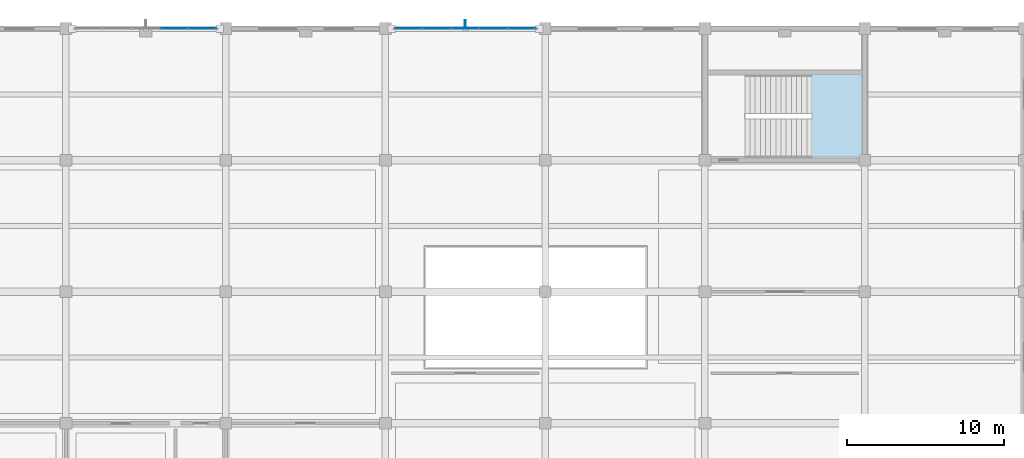
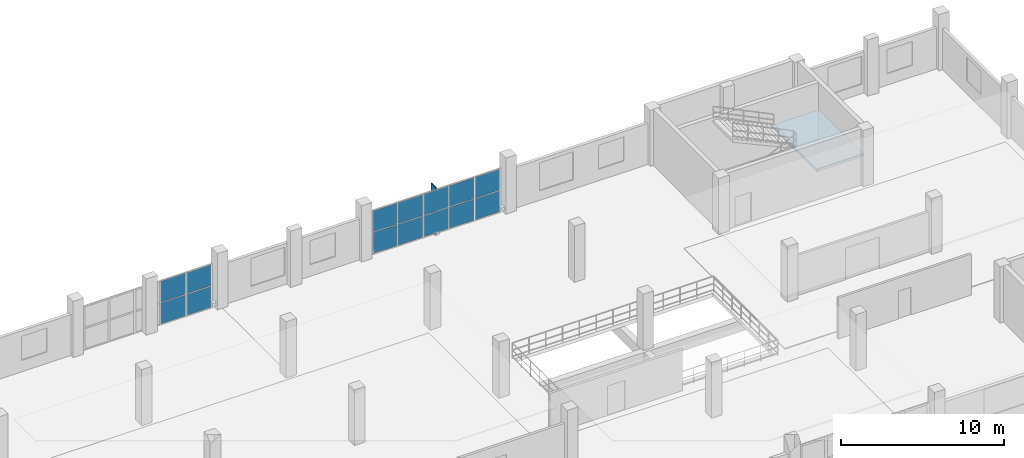
# One storey, part 120 of 157: 15 plates, 1 slab, 3 elements without a shape of their own.
"""IFC4 building model written with IfcOpenShell, lengths in metres."""

from ifc_helpers import new_model, si_unit, direction, frame, origin, origin_2d, place, context, subcontext, project, spatial, polyline, rectangle, outline, extrude, material, layer, layer_set, type_object, element, aggregate, save


model = new_model("IFC4")

# Units and contexts
model_context = context("Model", 3, precision=1e-05, world=origin(), true_north=direction((0.0, 1.0)))
body_context = subcontext(model_context, "Body", "Model", "MODEL_VIEW")
ifc_project = project(units=[si_unit("LENGTHUNIT", "METRE"), si_unit("AREAUNIT", "SQUARE_METRE"), si_unit("VOLUMEUNIT", "CUBIC_METRE"), si_unit("PLANEANGLEUNIT", "RADIAN"), si_unit("MASSUNIT", "GRAM", prefix="KILO")], contexts=[model_context])

# Site, building, storey
site_placement = place(None, origin())
site = spatial("IfcSite", under=ifc_project, at=site_placement, CompositionType="ELEMENT")
building_placement = place(site_placement, origin())
building = spatial("IfcBuilding", under=site, at=building_placement, Name="Brelvane Convention Centre", CompositionType="ELEMENT")
storey_placement = place(building_placement, frame((0.0, 0.0, 10.800048828125)))
storey = spatial("IfcBuildingStorey", under=building, at=storey_placement, Name="L02", CompositionType="ELEMENT", Elevation=10.800048828125)

# Curtain wall, plates
ifc_material_1 = material(Name="Anodised Aluminium Alloy 6063-T6", Category="aluminium")
curtain_wall_type = type_object("IfcCurtainWallType", Name="Curtain Wall CW-BOUL", PredefinedType="USERDEFINED", material=ifc_material_1)
curtain_wall_1_placement = place(storey_placement, origin())
curtain_wall_1 = element("IfcCurtainWall", 1, at=curtain_wall_1_placement, inside=storey, type_object=curtain_wall_type, Name="Curtain Wall CW-BOUL L02-V4N-06", ObjectType="UNITISED", PredefinedType="USERDEFINED")
ifc_material_2 = material(Name="Double Glazed Low-E Laminated Unit")
ifc_layer_1 = layer(ifc_material_2, 0.0380859375)
ifc_layer_set_1 = layer_set([ifc_layer_1], Name="Double Glazed Low-E Laminated Unit")
plate_type_1 = type_object("IfcPlateType", Name="Curtain Panel CW-PG2", PredefinedType="CURTAIN_PANEL", material=ifc_layer_set_1)
plate_1_placement = place(storey_placement, frame((57.919921875, 144.0, 0.059814453125), z_axis=(0.0, 0.0, 1.0), x_axis=(1.0, 0.0, 0.0)))
plate_1 = element("IfcPlate", 2, at=plate_1_placement, type_object=plate_type_1, Name="CW-BOUL panel 4.1", PredefinedType="CURTAIN_PANEL", context=body_context, shape_type="SweptSolid", body=[
    extrude(rectangle(XDim=1.7548828125, YDim=0.0380859375, at=origin_2d()), origin(), (0.0, 0.0, 1.0), 1.56005859375),
])
plate_2_placement = place(storey_placement, frame((57.919921875, 144.0, 1.679931640625), z_axis=(0.0, 0.0, 1.0), x_axis=(1.0, 0.0, 0.0)))
plate_2 = element("IfcPlate", 3, at=plate_2_placement, type_object=plate_type_1, Name="CW-BOUL panel 4.2", PredefinedType="CURTAIN_PANEL", context=body_context, shape_type="SweptSolid", body=[
    extrude(rectangle(XDim=1.7548828125, YDim=0.0380859375, at=origin_2d()), origin(), (0.0, 0.0, 1.0), 1.56005859375),
])
plate_3_placement = place(storey_placement, frame((59.7236328125, 144.0, 0.059814453125), z_axis=(0.0, 0.0, 1.0), x_axis=(1.0, 0.0, 0.0)))
plate_3 = element("IfcPlate", 4, at=plate_3_placement, type_object=plate_type_1, Name="CW-BOUL panel 5.1", PredefinedType="CURTAIN_PANEL", context=body_context, shape_type="SweptSolid", body=[
    extrude(rectangle(XDim=1.722412109375, YDim=0.0380859375, at=origin_2d()), origin(), (0.0, 0.0, 1.0), 1.56005859375),
])
plate_4_placement = place(storey_placement, frame((59.7236328125, 144.0, 1.679931640625), z_axis=(0.0, 0.0, 1.0), x_axis=(1.0, 0.0, 0.0)))
plate_4 = element("IfcPlate", 5, at=plate_4_placement, type_object=plate_type_1, Name="CW-BOUL panel 5.2", PredefinedType="CURTAIN_PANEL", context=body_context, shape_type="SweptSolid", body=[
    extrude(rectangle(XDim=1.722412109375, YDim=0.0380859375, at=origin_2d()), origin(), (0.0, 0.0, 1.0), 1.56005859375),
])
aggregate(curtain_wall_1, [plate_1, plate_2, plate_3, plate_4])

curtain_wall_2_placement = place(storey_placement, origin())
curtain_wall_2 = element("IfcCurtainWall", 6, at=curtain_wall_2_placement, inside=storey, type_object=curtain_wall_type, Name="Curtain Wall CW-BOUL L02-V4N-08", ObjectType="UNITISED", PredefinedType="USERDEFINED")
plate_5_placement = place(storey_placement, frame((72.876220703125, 144.0, 0.059814453125), z_axis=(0.0, 0.0, 1.0), x_axis=(1.0, 0.0, 0.0)))
plate_5 = element("IfcPlate", 7, at=plate_5_placement, type_object=plate_type_1, Name="CW-BOUL panel 1.1", PredefinedType="CURTAIN_PANEL", context=body_context, shape_type="SweptSolid", body=[
    extrude(rectangle(XDim=1.722412109375, YDim=0.0380859375, at=origin_2d()), origin(), (0.0, 0.0, 1.0), 1.56005859375),
])
plate_6_placement = place(storey_placement, frame((72.876220703125, 144.0, 1.679931640625), z_axis=(0.0, 0.0, 1.0), x_axis=(1.0, 0.0, 0.0)))
plate_6 = element("IfcPlate", 8, at=plate_6_placement, type_object=plate_type_1, Name="CW-BOUL panel 1.2", PredefinedType="CURTAIN_PANEL", context=body_context, shape_type="SweptSolid", body=[
    extrude(rectangle(XDim=1.722412109375, YDim=0.0380859375, at=origin_2d()), origin(), (0.0, 0.0, 1.0), 1.56005859375),
])
plate_7_placement = place(storey_placement, frame((74.679931640625, 144.0, 0.059814453125), z_axis=(0.0, 0.0, 1.0), x_axis=(1.0, 0.0, 0.0)))
plate_7 = element("IfcPlate", 9, at=plate_7_placement, type_object=plate_type_1, Name="CW-BOUL panel 2.1", PredefinedType="CURTAIN_PANEL", context=body_context, shape_type="SweptSolid", body=[
    extrude(rectangle(XDim=1.7548828125, YDim=0.0380859375, at=origin_2d()), origin(), (0.0, 0.0, 1.0), 1.56005859375),
])
plate_8_placement = place(storey_placement, frame((74.679931640625, 144.0, 1.679931640625), z_axis=(0.0, 0.0, 1.0), x_axis=(1.0, 0.0, 0.0)))
plate_8 = element("IfcPlate", 10, at=plate_8_placement, type_object=plate_type_1, Name="CW-BOUL panel 2.2", PredefinedType="CURTAIN_PANEL", context=body_context, shape_type="SweptSolid", body=[
    extrude(rectangle(XDim=1.7548828125, YDim=0.0380859375, at=origin_2d()), origin(), (0.0, 0.0, 1.0), 1.56005859375),
])
plate_9_placement = place(storey_placement, frame((76.5, 144.0, 0.059814453125), z_axis=(0.0, 0.0, 1.0), x_axis=(1.0, 0.0, 0.0)))
plate_9 = element("IfcPlate", 11, at=plate_9_placement, type_object=plate_type_1, Name="CW-BOUL panel 3.1", PredefinedType="CURTAIN_PANEL", context=body_context, shape_type="SweptSolid", body=[
    extrude(rectangle(XDim=1.7548828125, YDim=0.0380859375, at=origin_2d()), origin(), (0.0, 0.0, 1.0), 1.56005859375),
])
plate_10_placement = place(storey_placement, frame((76.5, 144.0, 1.679931640625), z_axis=(0.0, 0.0, 1.0), x_axis=(1.0, 0.0, 0.0)))
plate_10 = element("IfcPlate", 12, at=plate_10_placement, type_object=plate_type_1, Name="CW-BOUL panel 3.2", PredefinedType="CURTAIN_PANEL", context=body_context, shape_type="SweptSolid", body=[
    extrude(rectangle(XDim=1.7548828125, YDim=0.0380859375, at=origin_2d()), origin(), (0.0, 0.0, 1.0), 1.56005859375),
])
plate_11_placement = place(storey_placement, frame((78.320068359375, 144.0, 0.059814453125), z_axis=(0.0, 0.0, 1.0), x_axis=(1.0, 0.0, 0.0)))
plate_11 = element("IfcPlate", 13, at=plate_11_placement, type_object=plate_type_1, Name="CW-BOUL panel 4.1", PredefinedType="CURTAIN_PANEL", context=body_context, shape_type="SweptSolid", body=[
    extrude(rectangle(XDim=1.7548828125, YDim=0.0380859375, at=origin_2d()), origin(), (0.0, 0.0, 1.0), 1.56005859375),
])
plate_12_placement = place(storey_placement, frame((78.320068359375, 144.0, 1.679931640625), z_axis=(0.0, 0.0, 1.0), x_axis=(1.0, 0.0, 0.0)))
plate_12 = element("IfcPlate", 14, at=plate_12_placement, type_object=plate_type_1, Name="CW-BOUL panel 4.2", PredefinedType="CURTAIN_PANEL", context=body_context, shape_type="SweptSolid", body=[
    extrude(rectangle(XDim=1.7548828125, YDim=0.0380859375, at=origin_2d()), origin(), (0.0, 0.0, 1.0), 1.56005859375),
])
plate_13_placement = place(storey_placement, frame((80.123779296875, 144.0, 0.059814453125), z_axis=(0.0, 0.0, 1.0), x_axis=(1.0, 0.0, 0.0)))
plate_13 = element("IfcPlate", 15, at=plate_13_placement, type_object=plate_type_1, Name="CW-BOUL panel 5.1", PredefinedType="CURTAIN_PANEL", context=body_context, shape_type="SweptSolid", body=[
    extrude(rectangle(XDim=1.722412109375, YDim=0.0380859375, at=origin_2d()), origin(), (0.0, 0.0, 1.0), 1.56005859375),
])
plate_14_placement = place(storey_placement, frame((80.123779296875, 144.0, 1.679931640625), z_axis=(0.0, 0.0, 1.0), x_axis=(1.0, 0.0, 0.0)))
plate_14 = element("IfcPlate", 16, at=plate_14_placement, type_object=plate_type_1, Name="CW-BOUL panel 5.2", PredefinedType="CURTAIN_PANEL", context=body_context, shape_type="SweptSolid", body=[
    extrude(rectangle(XDim=1.722412109375, YDim=0.0380859375, at=origin_2d()), origin(), (0.0, 0.0, 1.0), 1.56005859375),
])
aggregate(curtain_wall_2, [plate_5, plate_6, plate_7, plate_8, plate_9, plate_10, plate_11, plate_12, plate_13, plate_14])

# Plate
ifc_material_3 = material(Name="Patinated Copper-Bronze Alloy C22000")
ifc_layer_2 = layer(ifc_material_3, 0.044921875)
ifc_layer_set_2 = layer_set([ifc_layer_2], Name="Patinated Copper-Bronze Alloy C22000")
plate_type_2 = type_object("IfcPlateType", Name="Monsoon Sun Fin FN-CU2", PredefinedType="USERDEFINED", material=ifc_layer_set_2)
plate_15_placement = place(storey_placement, frame((76.5, 144.27490234375, -0.150146484375), z_axis=(0.0, 0.0, 1.0), x_axis=(1.0, 0.0, 0.0)))
element("IfcPlate", 17, at=plate_15_placement, inside=storey, type_object=plate_type_2, Name="Rear Wing Monsoon Sun Fin L02-F8", ObjectType="SHADING_DEVICE", PredefinedType="USERDEFINED", context=body_context, shape_type="SweptSolid", body=[
    extrude(rectangle(XDim=0.044921875, YDim=0.550048828125, at=origin_2d()), origin(), (0.0, 0.0, 1.0), 3.60009765625),
])

# Stair, slab
ifc_material_4 = material(Name="Concrete M40", Category="concrete")
stair_type = type_object("IfcStairType", Name="Exit Stair ST-CORE", PredefinedType="HALF_TURN_STAIR", material=ifc_material_4)
stair_placement = place(storey_placement, origin())
stair = element("IfcStair", 18, at=stair_placement, inside=storey, type_object=stair_type, Name="Exit Stair ST-12 (L02 to L03)", PredefinedType="HALF_TURN_STAIR")
ifc_material_5 = material(Name="Concrete M40", Category="concrete")
ifc_layer_3 = layer(ifc_material_5, 0.199951171875)
ifc_layer_set_3 = layer_set([ifc_layer_3], Name="Concrete M40")
slab_type = type_object("IfcSlabType", Name="Stair Landing SL-LND-200", PredefinedType="LANDING", material=ifc_layer_set_3)
slab_placement = place(storey_placement, frame((0.0, 0.0, 1.89990234375)))
slab = element("IfcSlab", 19, at=slab_placement, type_object=slab_type, Name="Stair ST-12 L02 Half Landing", PredefinedType="LANDING", context=body_context, shape_type="SweptSolid", body=[
    extrude(outline(polyline([(98.610107421875, 135.679931640625), (101.919921875, 135.679931640625), (101.919921875, 141.1201171875), (98.610107421875, 141.1201171875), (98.610107421875, 135.679931640625)])), origin(), (0.0, 0.0, 1.0), 0.199951171875),
])
aggregate(stair, [slab])

save(model, "model.ifc")
